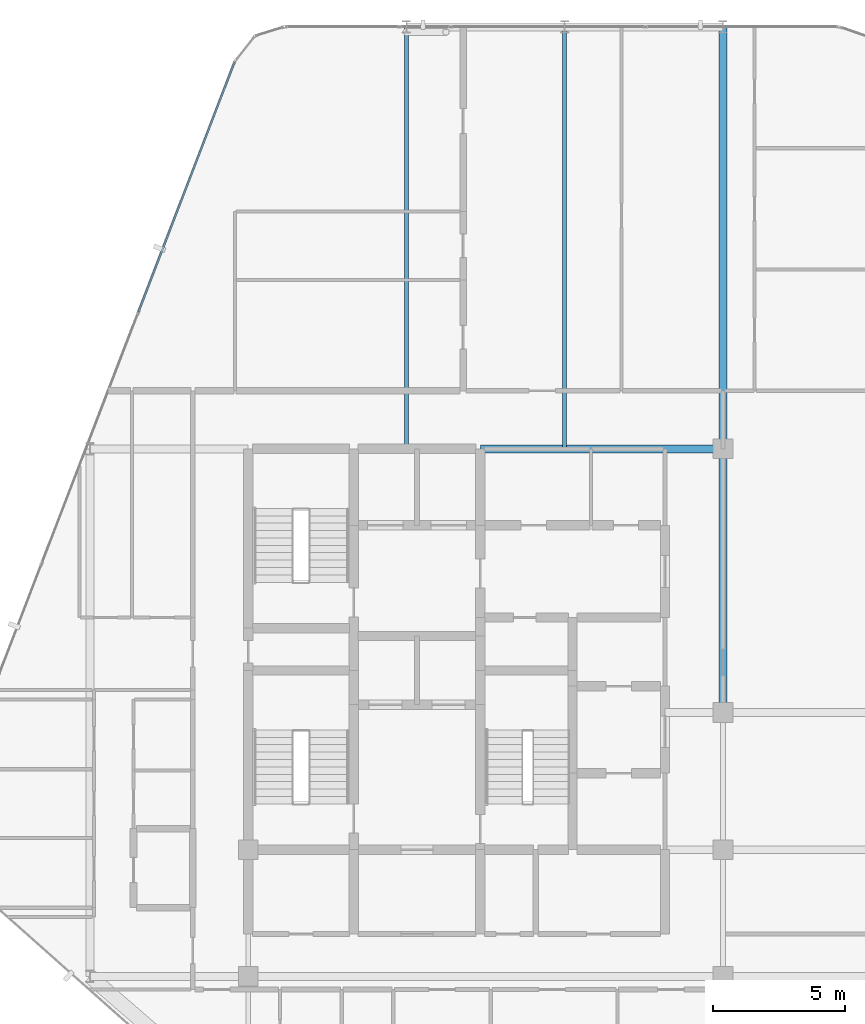
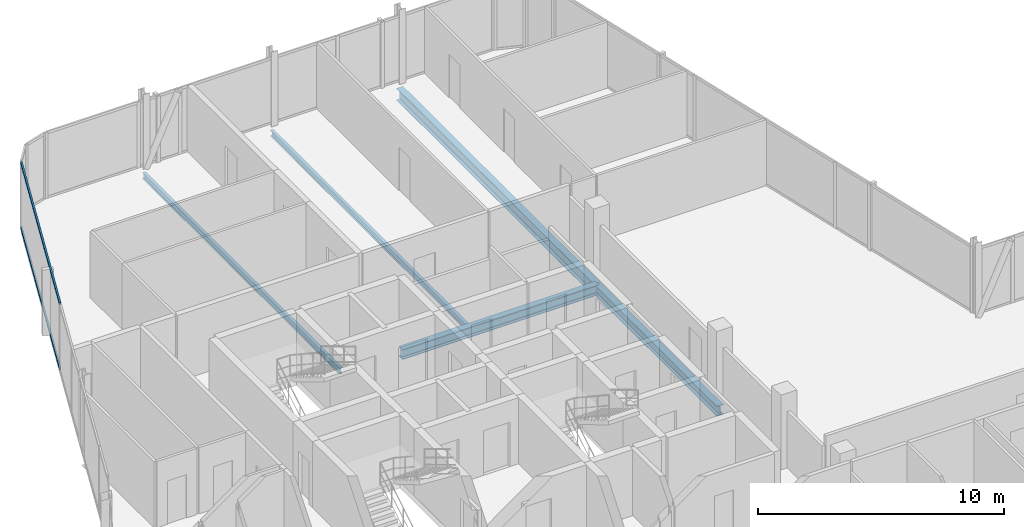
# One storey, part 17 of 28: 5 beams, 2 members, 1 element without a shape of its own.
"""IFC4 building model written with IfcOpenShell, lengths in metres."""

from ifc_helpers import new_model, si_unit, direction, frame, origin, origin_2d, place, context, subcontext, project, spatial, hollow_rectangle, i_section, extrude, material, layer, layer_set, material_profile, profile_set, type_object, element, aggregate, save


model = new_model("IFC4")

# Units and contexts
model_context = context("Model", 3, precision=1e-05, world=origin(), true_north=direction((0.0, 1.0)))
body_context = subcontext(model_context, "Body", "Model", "MODEL_VIEW")
ifc_project = project(units=[si_unit("LENGTHUNIT", "METRE"), si_unit("AREAUNIT", "SQUARE_METRE"), si_unit("VOLUMEUNIT", "CUBIC_METRE"), si_unit("PLANEANGLEUNIT", "RADIAN"), si_unit("MASSUNIT", "GRAM", prefix="KILO")], contexts=[model_context])

# Site, building, storey
site_placement = place(None, origin())
site = spatial("IfcSite", under=ifc_project, at=site_placement, CompositionType="ELEMENT")
building_placement = place(site_placement, origin())
building = spatial("IfcBuilding", under=site, at=building_placement, Name="Keshet Zoharim Tower", CompositionType="ELEMENT")
storey_placement = place(building_placement, frame((0.0, 0.0, 233.89990234375)))
storey = spatial("IfcBuildingStorey", under=building, at=storey_placement, Name="L58", CompositionType="ELEMENT", Elevation=233.89990234375)

# Beams
ifc_material_1 = material(Name="Steel S355", Category="steel")
ifc_material_profile_1 = material_profile(ifc_material_1, i_section(OverallWidth=0.14990234375, OverallDepth=0.300048828125, WebThickness=0.007080078125, FlangeThickness=0.0107421875, FilletRadius=0.014892578125, at=origin_2d()), Name="IPE300")
ifc_profile_set_1 = profile_set([ifc_material_profile_1], Name="Steel S355")
beam_type_1 = type_object("IfcBeamType", Name="BM-JST-IP300", PredefinedType="JOIST", material=ifc_profile_set_1)
for number, where, z_axis, x_axis, name in (
    (1, (21.0, 37.89990234375, -0.4599609375), (0.0, 1.0, 0.0), (-1.0, 0.0, 0.0), "L58 Secondary Floor Joist J-001"),
    (2, (27.0, 37.89990234375, -0.4599609375), (0.0, 1.0, 0.0), (-1.0, 0.0, 0.0), "L58 Secondary Floor Joist J-002"),
):
    element("IfcBeam", number, at=place(storey_placement, frame(where, z_axis=z_axis, x_axis=x_axis)), inside=storey, type_object=beam_type_1, Name=name, PredefinedType="JOIST", context=body_context, shape_type="SweptSolid", body=[
        extrude(i_section(OverallWidth=0.14990234375, OverallDepth=0.300048828125, WebThickness=0.007080078125, FlangeThickness=0.0107421875, FilletRadius=0.014892578125, at=origin_2d()), origin(), (0.0, 0.0, 1.0), 16.0),
    ])
ifc_material_profile_2 = material_profile(ifc_material_1, i_section(OverallWidth=0.300048828125, OverallDepth=0.60009765625, WebThickness=0.015380859375, FlangeThickness=0.030029296875, FilletRadius=0.027099609375, at=origin_2d()), Name="HEB600")
ifc_profile_set_2 = profile_set([ifc_material_profile_2], Name="Steel S355")
beam_type_2 = type_object("IfcBeamType", Name="BM-LNG-HB600", PredefinedType="BEAM", material=ifc_profile_set_2)
beam_1_placement = place(storey_placement, frame((33.0, 37.89990234375, -0.60986328125), z_axis=(0.0, 1.0, 0.0), x_axis=(-1.0, 0.0, 0.0)))
element("IfcBeam", 3, at=beam_1_placement, inside=storey, type_object=beam_type_2, Name="L58 Primary Girder Y-011", PredefinedType="BEAM", context=body_context, shape_type="SweptSolid", body=[
    extrude(i_section(OverallWidth=0.300048828125, OverallDepth=0.60009765625, WebThickness=0.015380859375, FlangeThickness=0.030029296875, FilletRadius=0.027099609375, at=origin_2d()), origin(), (0.0, 0.0, 1.0), 16.0),
])
ifc_material_profile_3 = material_profile(ifc_material_1, i_section(OverallWidth=0.300048828125, OverallDepth=0.5, WebThickness=0.014404296875, FlangeThickness=0.028076171875, FilletRadius=0.027099609375, at=origin_2d()), Name="HEB500")
ifc_profile_set_3 = profile_set([ifc_material_profile_3], Name="Steel S355")
beam_type_3 = type_object("IfcBeamType", Name="BM-MED-HB500", PredefinedType="BEAM", material=ifc_profile_set_3)
beam_2_placement = place(storey_placement, frame((23.800048828125, 37.89990234375, -0.559814453125), z_axis=(1.0, 0.0, 0.0), x_axis=(0.0, 1.0, 0.0)))
element("IfcBeam", 4, at=beam_2_placement, inside=storey, type_object=beam_type_3, Name="L58 Primary Girder X-018", PredefinedType="BEAM", context=body_context, shape_type="SweptSolid", body=[
    extrude(i_section(OverallWidth=0.300048828125, OverallDepth=0.5, WebThickness=0.014404296875, FlangeThickness=0.028076171875, FilletRadius=0.027099609375, at=origin_2d()), origin(), (0.0, 0.0, 1.0), 9.199951171875),
])
beam_3_placement = place(storey_placement, frame((33.0, 27.89990234375, -0.559814453125), z_axis=(0.0, 1.0, 0.0), x_axis=(-1.0, 0.0, 0.0)))
element("IfcBeam", 5, at=beam_3_placement, inside=storey, type_object=beam_type_3, Name="L58 Primary Girder Y-010", PredefinedType="BEAM", context=body_context, shape_type="SweptSolid", body=[
    extrude(i_section(OverallWidth=0.300048828125, OverallDepth=0.5, WebThickness=0.014404296875, FlangeThickness=0.028076171875, FilletRadius=0.027099609375, at=origin_2d()), origin(), (0.0, 0.0, 1.0), 10.0),
])

# Curtain wall, members
ifc_material_2 = material(Name="Aluminium 6063-T6", Category="aluminium")
ifc_layer = layer(ifc_material_2, 0.139892578125)
ifc_layer_set = layer_set([ifc_layer], Name="Aluminium 6063-T6")
curtain_wall_type = type_object("IfcCurtainWallType", Name="CW-SYS-05", PredefinedType="NOTDEFINED", material=ifc_layer_set)
curtain_wall_placement = place(storey_placement, origin())
curtain_wall = element("IfcCurtainWall", 6, at=curtain_wall_placement, inside=storey, type_object=curtain_wall_type, Name="L58 Unitised Curtain Wall 13", PredefinedType="NOTDEFINED")
ifc_material_profile_4 = material_profile(ifc_material_2, hollow_rectangle(XDim=0.074951171875, YDim=0.1201171875, WallThickness=0.00390625, at=origin_2d()), Name="TRN-75x120")
ifc_profile_set_4 = profile_set([ifc_material_profile_4], Name="Aluminium 6063-T6")
member_type = type_object("IfcMemberType", Name="CWT-T12", PredefinedType="USERDEFINED", material=ifc_profile_set_4)
member_1_placement = place(storey_placement, frame((10.849609375, 43.10888671875, 0.03515625), z_axis=(0.358985546764, 0.933343118694, 0.0), x_axis=(-0.933343118694, 0.358985546764, 0.0)))
member_1 = element("IfcMember", 7, at=member_1_placement, type_object=member_type, Name="CW-05 transom 3.1", ObjectType="TRANSOM", PredefinedType="USERDEFINED", context=body_context, shape_type="SweptSolid", body=[
    extrude(hollow_rectangle(XDim=0.074951171875, YDim=0.1201171875, WallThickness=0.00390625, at=origin_2d()), origin(), (0.0, 0.0, 1.0), 10.118408203125),
])
member_2_placement = place(storey_placement, frame((10.849609375, 43.10888671875, 3.2451171875), z_axis=(0.358985546764, 0.933343118694, 0.0), x_axis=(-0.933343118694, 0.358985546764, 0.0)))
member_2 = element("IfcMember", 8, at=member_2_placement, type_object=member_type, Name="CW-05 transom 3.2", ObjectType="TRANSOM", PredefinedType="USERDEFINED", context=body_context, shape_type="SweptSolid", body=[
    extrude(hollow_rectangle(XDim=0.074951171875, YDim=0.1201171875, WallThickness=0.00390625, at=origin_2d()), origin(), (0.0, 0.0, 1.0), 10.118408203125),
])
aggregate(curtain_wall, [member_1, member_2])

save(model, "model.ifc")
